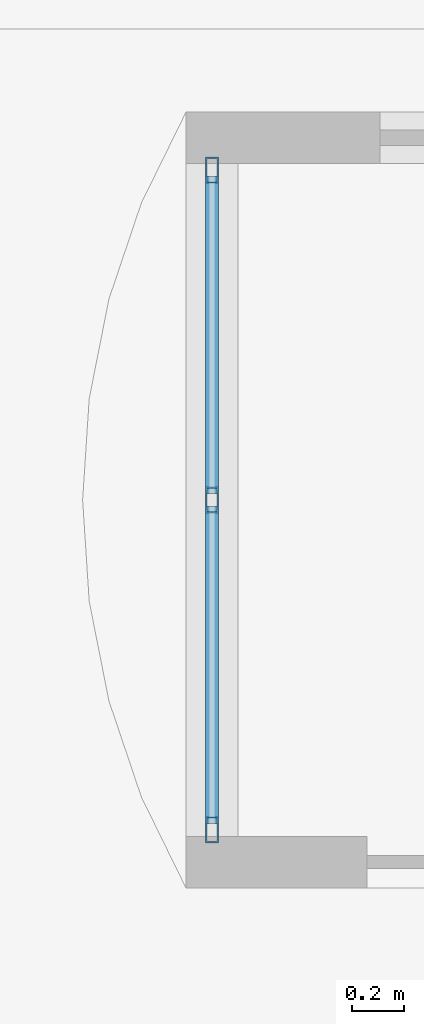
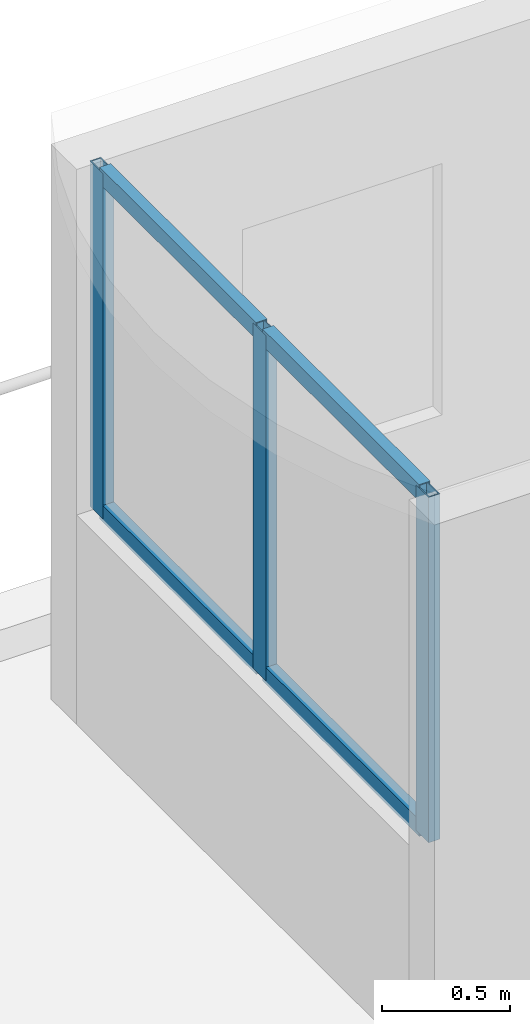
# One storey, part 81 of 212: 7 members, 1 element without a shape of its own.
"""IFC4 building model written with IfcOpenShell, lengths in metres."""

from ifc_helpers import new_model, si_unit, direction, frame, origin, origin_2d, place, context, subcontext, project, spatial, hollow_rectangle, extrude, material, material_profile, profile_set, type_object, element, aggregate, save


model = new_model("IFC4")

# Units and contexts
model_context = context("Model", 3, precision=1e-05, world=origin(), true_north=direction((0.0, 1.0)))
body_context = subcontext(model_context, "Body", "Model", "MODEL_VIEW")
ifc_project = project(units=[si_unit("LENGTHUNIT", "METRE"), si_unit("AREAUNIT", "SQUARE_METRE"), si_unit("VOLUMEUNIT", "CUBIC_METRE"), si_unit("PLANEANGLEUNIT", "RADIAN"), si_unit("MASSUNIT", "GRAM", prefix="KILO")], contexts=[model_context])

# Site, building, storey
site_placement = place(None, origin())
site = spatial("IfcSite", under=ifc_project, at=site_placement, CompositionType="ELEMENT")
building_placement = place(site_placement, origin())
building = spatial("IfcBuilding", under=site, at=building_placement, Name="Catenary Quay Ferry Terminal", CompositionType="ELEMENT")
storey_placement = place(building_placement, origin())
storey = spatial("IfcBuildingStorey", under=building, at=storey_placement, Name="L00", CompositionType="ELEMENT", Elevation=0.0)

# Curtain wall, members
ifc_material_1 = material(Name="Aluminium and glass", Category="aluminium")
curtain_wall_type = type_object("IfcCurtainWallType", Name="CWV", PredefinedType="NOTDEFINED", material=ifc_material_1)
curtain_wall_placement = place(storey_placement, origin())
curtain_wall = element("IfcCurtainWall", 1, at=curtain_wall_placement, inside=storey, type_object=curtain_wall_type, Name="Booth curtain wall CW169", PredefinedType="NOTDEFINED")
ifc_material_2 = material(Name="Aluminium", Category="aluminium")
ifc_material_profile_1 = material_profile(ifc_material_2, hollow_rectangle(XDim=0.050048828125, YDim=0.10009765625, WallThickness=0.0048828125, at=origin_2d()), Name="MU1")
ifc_profile_set_1 = profile_set([ifc_material_profile_1], Name="Aluminium")
member_type_1 = type_object("IfcMemberType", Name="MU1", PredefinedType="MULLION", material=ifc_profile_set_1)
member_1_placement = place(storey_placement, frame((122.10009765625, 38.625, 1.0), z_axis=(0.0, 0.0, 1.0), x_axis=(-1.0, 0.0, 0.0)))
member_1 = element("IfcMember", 2, at=member_1_placement, type_object=member_type_1, Name="CW169 mullion 1", PredefinedType="MULLION", context=body_context, shape_type="SweptSolid", body=[
    extrude(hollow_rectangle(XDim=0.050048828125, YDim=0.10009765625, WallThickness=0.0048828125, at=origin_2d()), origin(), (0.0, 0.0, 1.0), 1.64990234375),
])
member_2_placement = place(storey_placement, frame((122.10009765625, 39.89990234375, 1.0), z_axis=(0.0, 0.0, 1.0), x_axis=(-1.0, 0.0, 0.0)))
member_2 = element("IfcMember", 3, at=member_2_placement, type_object=member_type_1, Name="CW169 mullion 2", PredefinedType="MULLION", context=body_context, shape_type="SweptSolid", body=[
    extrude(hollow_rectangle(XDim=0.050048828125, YDim=0.10009765625, WallThickness=0.0048828125, at=origin_2d()), origin(), (0.0, 0.0, 1.0), 1.64990234375),
])
member_3_placement = place(storey_placement, frame((122.10009765625, 41.175048828125, 1.0), z_axis=(0.0, 0.0, 1.0), x_axis=(-1.0, 0.0, 0.0)))
member_3 = element("IfcMember", 4, at=member_3_placement, type_object=member_type_1, Name="CW169 mullion 3", PredefinedType="MULLION", context=body_context, shape_type="SweptSolid", body=[
    extrude(hollow_rectangle(XDim=0.050048828125, YDim=0.10009765625, WallThickness=0.0048828125, at=origin_2d()), origin(), (0.0, 0.0, 1.0), 1.64990234375),
])
ifc_material_3 = material(Name="Aluminium", Category="aluminium")
ifc_material_profile_2 = material_profile(ifc_material_3, hollow_rectangle(XDim=0.050048828125, YDim=0.080078125, WallThickness=0.00390625, at=origin_2d()), Name="TR1")
ifc_profile_set_2 = profile_set([ifc_material_profile_2], Name="Aluminium")
member_type_2 = type_object("IfcMemberType", Name="TR1", PredefinedType="USERDEFINED", material=ifc_profile_set_2)
member_4_placement = place(storey_placement, frame((122.10009765625, 38.64990234375, 1.02490234375), z_axis=(0.0, 1.0, 0.0), x_axis=(-1.0, 0.0, 0.0)))
member_4 = element("IfcMember", 5, at=member_4_placement, type_object=member_type_2, Name="CW169 transom 1.1", ObjectType="TRANSOM", PredefinedType="USERDEFINED", context=body_context, shape_type="SweptSolid", body=[
    extrude(hollow_rectangle(XDim=0.050048828125, YDim=0.080078125, WallThickness=0.00390625, at=origin_2d()), origin(), (0.0, 0.0, 1.0), 1.22509765625),
])
member_5_placement = place(storey_placement, frame((122.10009765625, 38.64990234375, 2.625), z_axis=(0.0, 1.0, 0.0), x_axis=(-1.0, 0.0, 0.0)))
member_5 = element("IfcMember", 6, at=member_5_placement, type_object=member_type_2, Name="CW169 transom 1.2", ObjectType="TRANSOM", PredefinedType="USERDEFINED", context=body_context, shape_type="SweptSolid", body=[
    extrude(hollow_rectangle(XDim=0.050048828125, YDim=0.080078125, WallThickness=0.00390625, at=origin_2d()), origin(), (0.0, 0.0, 1.0), 1.22509765625),
])
member_6_placement = place(storey_placement, frame((122.10009765625, 39.925048828125, 1.02490234375), z_axis=(0.0, 1.0, 0.0), x_axis=(-1.0, 0.0, 0.0)))
member_6 = element("IfcMember", 7, at=member_6_placement, type_object=member_type_2, Name="CW169 transom 2.1", ObjectType="TRANSOM", PredefinedType="USERDEFINED", context=body_context, shape_type="SweptSolid", body=[
    extrude(hollow_rectangle(XDim=0.050048828125, YDim=0.080078125, WallThickness=0.00390625, at=origin_2d()), origin(), (0.0, 0.0, 1.0), 1.224853515625),
])
member_7_placement = place(storey_placement, frame((122.10009765625, 39.925048828125, 2.625), z_axis=(0.0, 1.0, 0.0), x_axis=(-1.0, 0.0, 0.0)))
member_7 = element("IfcMember", 8, at=member_7_placement, type_object=member_type_2, Name="CW169 transom 2.2", ObjectType="TRANSOM", PredefinedType="USERDEFINED", context=body_context, shape_type="SweptSolid", body=[
    extrude(hollow_rectangle(XDim=0.050048828125, YDim=0.080078125, WallThickness=0.00390625, at=origin_2d()), origin(), (0.0, 0.0, 1.0), 1.224853515625),
])
aggregate(curtain_wall, [member_1, member_2, member_3, member_4, member_5, member_6, member_7])

save(model, "model.ifc")
